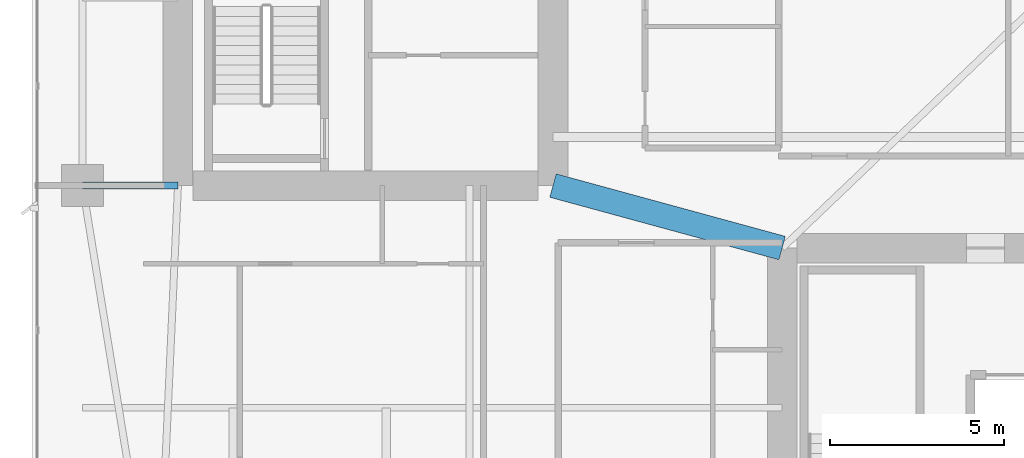
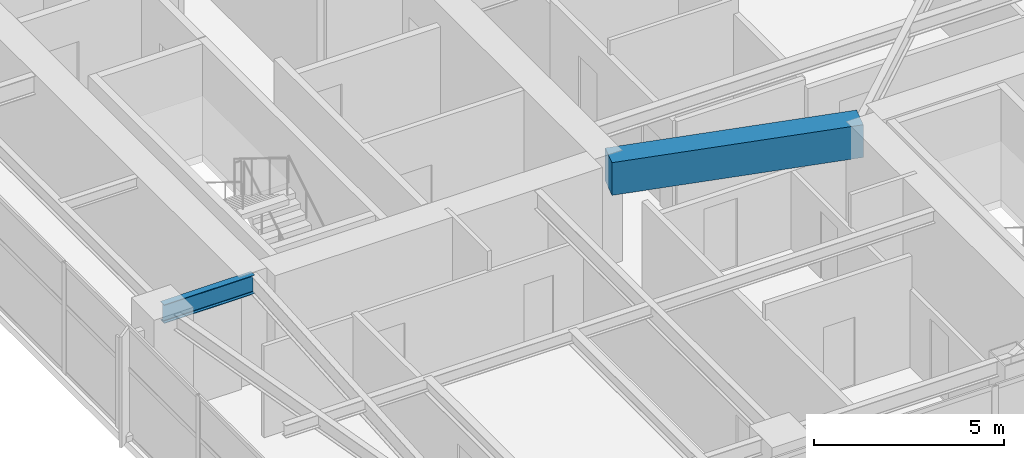
# One storey, part 7 of 29: 2 beams.
"""IFC4 building model written with IfcOpenShell, lengths in metres."""

from ifc_helpers import new_model, si_unit, direction, frame, origin, origin_2d, place, context, subcontext, project, spatial, rectangle, i_section, extrude, material, material_profile, profile_set, type_object, element, save


model = new_model("IFC4")

# Units and contexts
model_context = context("Model", 3, precision=1e-05, world=origin(), true_north=direction((0.0, 1.0)))
body_context = subcontext(model_context, "Body", "Model", "MODEL_VIEW")
ifc_project = project(units=[si_unit("LENGTHUNIT", "METRE"), si_unit("AREAUNIT", "SQUARE_METRE"), si_unit("VOLUMEUNIT", "CUBIC_METRE"), si_unit("PLANEANGLEUNIT", "RADIAN"), si_unit("MASSUNIT", "GRAM", prefix="KILO")], contexts=[model_context])

# Site, building, storey
site_placement = place(None, origin())
site = spatial("IfcSite", under=ifc_project, at=site_placement, CompositionType="ELEMENT")
building_placement = place(site_placement, origin())
building = spatial("IfcBuilding", under=site, at=building_placement, Name="Calvorn Quay Hotel", CompositionType="ELEMENT")
storey_placement = place(building_placement, frame((0.0, 0.0, 175.10009765625)))
storey = spatial("IfcBuildingStorey", under=building, at=storey_placement, Name="L43", CompositionType="ELEMENT", Elevation=175.10009765625)

# Beams
ifc_material_1 = material(Name="Steel Q355B", Category="steel")
ifc_material_profile_1 = material_profile(ifc_material_1, i_section(OverallWidth=0.199951171875, OverallDepth=0.60009765625, WebThickness=0.010986328125, FlangeThickness=0.01708984375, FilletRadius=0.01806640625, at=origin_2d()), Name="HN600x200x11x17")
ifc_profile_set_1 = profile_set([ifc_material_profile_1], Name="Steel Q355B")
beam_type_1 = type_object("IfcBeamType", Name="BM-GIRD-TYP", PredefinedType="BEAM", material=ifc_profile_set_1)
beam_1_placement = place(storey_placement, frame((1.449951171875, 16.800048828125, 3.239990234375), z_axis=(1.0, 0.0, 0.0), x_axis=(0.0, 1.0, 0.0)))
element("IfcBeam", 1, at=beam_1_placement, inside=storey, type_object=beam_type_1, Name="Beam BG-L43-W1", PredefinedType="BEAM", context=body_context, shape_type="SweptSolid", body=[
    extrude(i_section(OverallWidth=0.199951171875, OverallDepth=0.60009765625, WebThickness=0.010986328125, FlangeThickness=0.01708984375, FilletRadius=0.01806640625, at=origin_2d()), origin(), (0.0, 0.0, 1.0), 2.75),
])
ifc_material_2 = material(Name="Concrete C50", Category="concrete")
ifc_material_profile_2 = material_profile(ifc_material_2, rectangle(XDim=0.699951171875, YDim=1.050048828125, at=origin_2d()), Name="RCB700x1050")
ifc_profile_set_2 = profile_set([ifc_material_profile_2], Name="Concrete C50")
beam_type_2 = type_object("IfcBeamType", Name="BM-RC-LINK-700x1050", PredefinedType="BEAM", material=ifc_profile_set_2)
beam_2_placement = place(storey_placement, frame((15.0, 16.800048828125, 3.014892578125), z_axis=(0.964762997686, -0.263120425462, 0.0), x_axis=(0.263120425462, 0.964762997686, 0.0)))
element("IfcBeam", 2, at=beam_2_placement, inside=storey, type_object=beam_type_2, Name="Beam BCL-L43-01", PredefinedType="BEAM", context=body_context, shape_type="SweptSolid", body=[
    extrude(rectangle(XDim=0.699951171875, YDim=1.050048828125, at=origin_2d()), origin(), (0.0, 0.0, 1.0), 6.841064453125),
])

save(model, "model.ifc")
